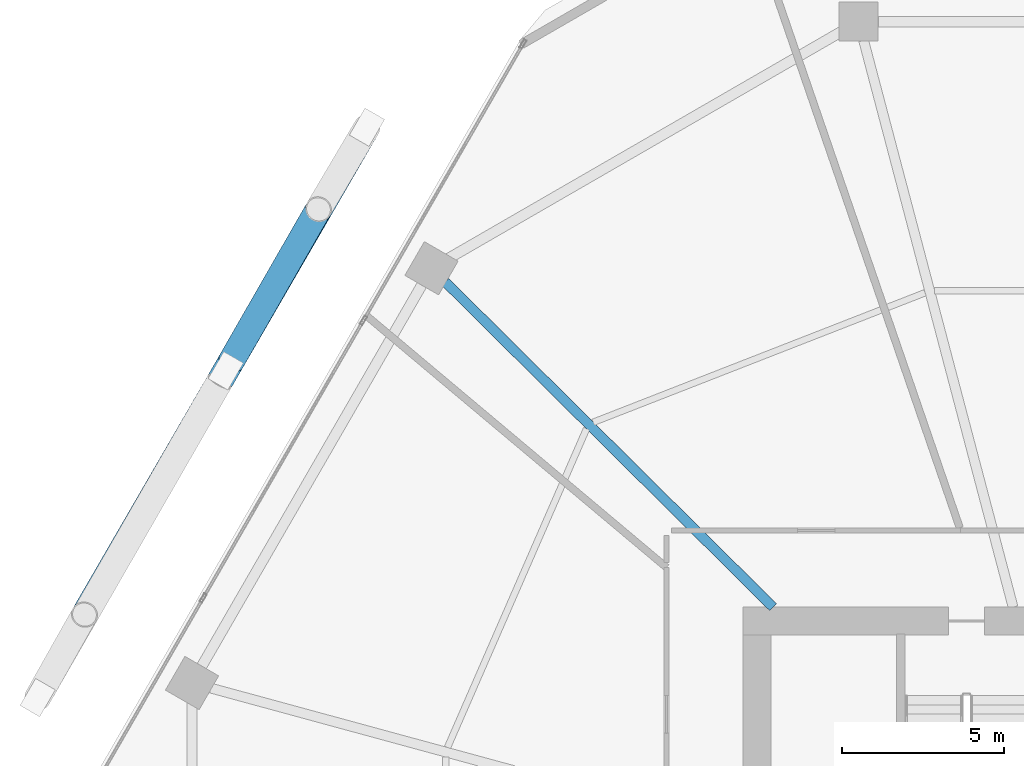
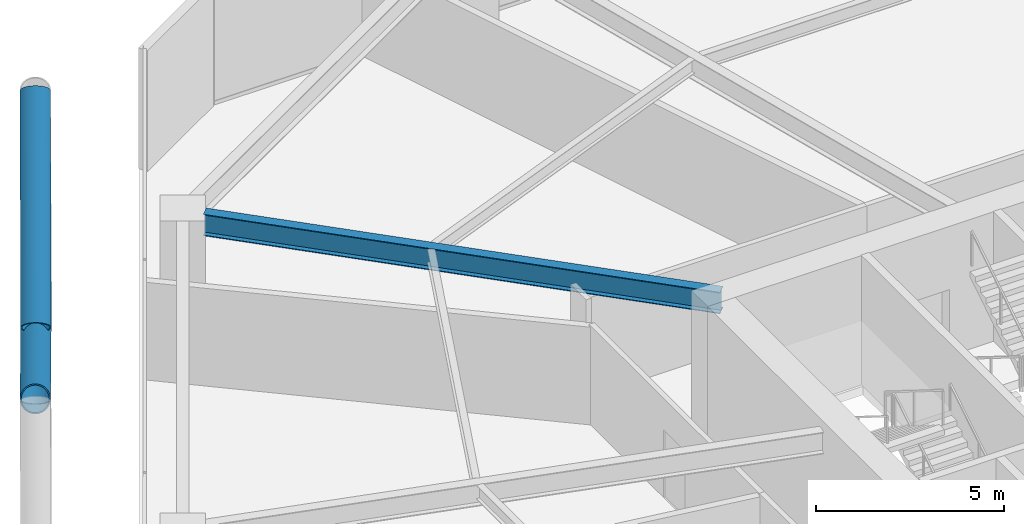
# One storey, part 15 of 29: 2 members, 1 beam.
"""IFC4 building model written with IfcOpenShell, lengths in metres."""

from ifc_helpers import new_model, si_unit, direction, frame, origin, origin_2d, place, context, subcontext, project, spatial, hollow_circle, i_section, extrude, material, material_profile, profile_set, type_object, element, save


model = new_model("IFC4")

# Units and contexts
model_context = context("Model", 3, precision=1e-05, world=origin(), true_north=direction((0.0, 1.0)))
body_context = subcontext(model_context, "Body", "Model", "MODEL_VIEW")
ifc_project = project(units=[si_unit("LENGTHUNIT", "METRE"), si_unit("AREAUNIT", "SQUARE_METRE"), si_unit("VOLUMEUNIT", "CUBIC_METRE"), si_unit("PLANEANGLEUNIT", "RADIAN"), si_unit("MASSUNIT", "GRAM", prefix="KILO")], contexts=[model_context])

# Site, building, storey
site_placement = place(None, origin())
site = spatial("IfcSite", under=ifc_project, at=site_placement, CompositionType="ELEMENT")
building_placement = place(site_placement, origin())
building = spatial("IfcBuilding", under=site, at=building_placement, Name="Zuhravey Tower", CompositionType="ELEMENT")
storey_placement = place(building_placement, frame((0.0, 0.0, 41.39990234375)))
storey = spatial("IfcBuildingStorey", under=building, at=storey_placement, Name="L10", CompositionType="ELEMENT", Elevation=41.39990234375)

# Members
ifc_material_1 = material(Name="Steel SM460", Category="steel")
ifc_material_profile_1 = material_profile(ifc_material_1, hollow_circle(Radius=0.406494140625, WallThickness=0.035888671875, at=origin_2d()), Name="CHS-812.8x36")
ifc_profile_set_1 = profile_set([ifc_material_profile_1], Name="Steel SM460")
member_type = type_object("IfcMemberType", Name="Exoskeleton Zone 1 Diagrid CHS813x36", PredefinedType="BRACE", material=ifc_profile_set_1)
member_1_placement = place(storey_placement, frame((13.47265625, 56.65869140625, -0.471923828125), z_axis=(-0.451282003886, -0.778532501156, 0.436155588767), x_axis=(0.865159859192, -0.50149617949, 0.0)))
element("IfcMember", 1, at=member_1_placement, inside=storey, type_object=member_type, Name="L10 Face 3 Diagrid Brace 2", PredefinedType="BRACE", context=body_context, shape_type="SweptSolid", body=[
    extrude(hollow_circle(Radius=0.406494140625, WallThickness=0.035888671875, at=origin_2d()), origin(), (0.0, 0.0, 1.0), 19.158203125),
])
member_2_placement = place(storey_placement, frame((9.30908203125, 49.478271484375, 3.940673828125), z_axis=(0.401223761985, 0.699232702023, 0.591686674888), x_axis=(-0.867353558371, 0.497692480134, 0.0)))
element("IfcMember", 2, at=member_2_placement, inside=storey, type_object=member_type, Name="L10 Face 3 Split Diagrid Brace 3B", PredefinedType="BRACE", context=body_context, shape_type="SweptSolid", body=[
    extrude(hollow_circle(Radius=0.406494140625, WallThickness=0.035888671875, at=origin_2d()), origin(), (0.0, 0.0, 1.0), 6.6513671875),
])

# Beam
ifc_material_2 = material(Name="Steel SM355", Category="steel")
ifc_material_profile_2 = material_profile(ifc_material_2, i_section(OverallWidth=0.300048828125, OverallDepth=0.699951171875, WebThickness=0.012939453125, FlangeThickness=0.02392578125, at=origin_2d()), Name="H-700x300x13x24")
ifc_profile_set_2 = profile_set([ifc_material_profile_2], Name="Steel SM355")
beam_type = type_object("IfcBeamType", Name="Radial Primary Girder H700x300", PredefinedType="BEAM", material=ifc_profile_set_2)
beam_placement = place(storey_placement, frame((25.992919921875, 41.927978515625, 3.570068359375), z_axis=(-0.709902823282, 0.704299639, 0.0), x_axis=(-0.704299639, -0.709902823282, 0.0)))
element("IfcBeam", 3, at=beam_placement, inside=storey, type_object=beam_type, Name="L10 RG1 BM-L10-RAD-05", PredefinedType="BEAM", context=body_context, shape_type="SweptSolid", body=[
    extrude(i_section(OverallWidth=0.300048828125, OverallDepth=0.699951171875, WebThickness=0.012939453125, FlangeThickness=0.02392578125, at=origin_2d()), origin(), (0.0, 0.0, 1.0), 14.204345703125),
])

save(model, "model.ifc")
